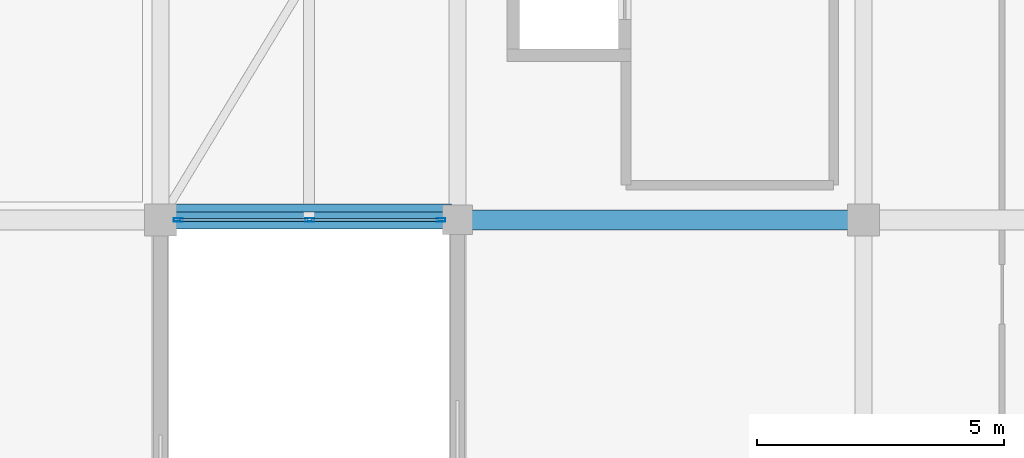
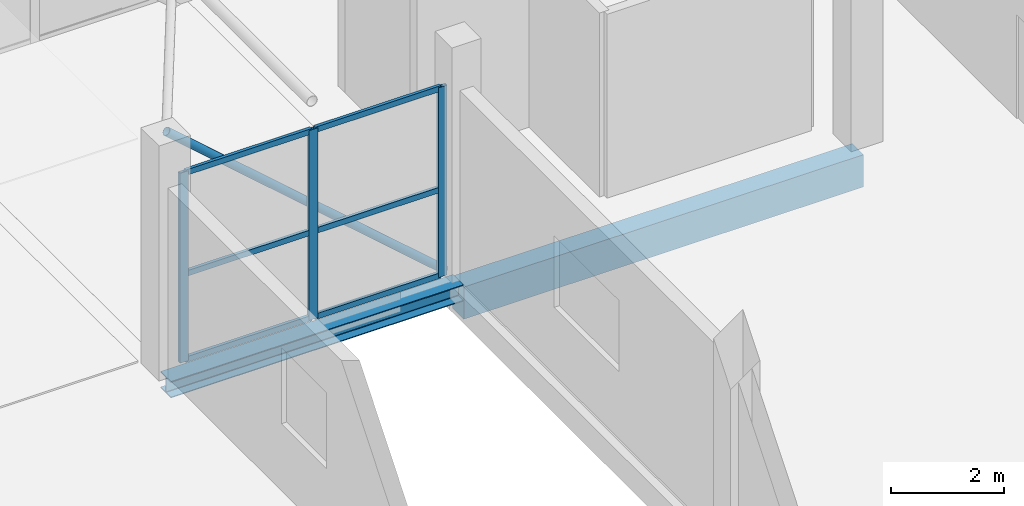
# One storey, part 14 of 66: 10 members, 2 beams, 1 element without a shape of its own.
"""IFC4 building model written with IfcOpenShell, lengths in metres."""

from ifc_helpers import new_model, si_unit, direction, frame, origin, origin_2d, place, context, subcontext, project, spatial, rectangle, hollow_rectangle, hollow_circle, i_section, extrude, material, layer, layer_set, material_profile, profile_set, type_object, element, aggregate, save


model = new_model("IFC4")

# Units and contexts
model_context = context("Model", 3, precision=1e-05, world=origin(), true_north=direction((0.0, 1.0)))
body_context = subcontext(model_context, "Body", "Model", "MODEL_VIEW")
ifc_project = project(units=[si_unit("LENGTHUNIT", "METRE"), si_unit("AREAUNIT", "SQUARE_METRE"), si_unit("VOLUMEUNIT", "CUBIC_METRE"), si_unit("PLANEANGLEUNIT", "RADIAN"), si_unit("MASSUNIT", "GRAM", prefix="KILO")], contexts=[model_context])

# Site, building, storey
site_placement = place(None, origin())
site = spatial("IfcSite", under=ifc_project, at=site_placement, CompositionType="ELEMENT")
building_placement = place(site_placement, origin())
building = spatial("IfcBuilding", under=site, at=building_placement, Name="Sillaruma Civic Art Gallery", CompositionType="ELEMENT")
storey_placement = place(building_placement, frame((0.0, 0.0, 57.1201171875)))
storey = spatial("IfcBuildingStorey", under=building, at=storey_placement, Name="L11", CompositionType="ELEMENT", Elevation=57.1201171875)

# Beams
ifc_material_1 = material(Name="Concrete H35 (35 MPa)", Category="concrete")
ifc_material_profile_1 = material_profile(ifc_material_1, rectangle(XDim=0.39990234375, YDim=0.699951171875, at=origin_2d()), Name="RCB400x700")
ifc_profile_set_1 = profile_set([ifc_material_profile_1], Name="Concrete H35 (35 MPa)")
beam_type_1 = type_object("IfcBeamType", Name="BM-BEAM-RCB400x700", PredefinedType="BEAM", material=ifc_profile_set_1)
beam_1_placement = place(storey_placement, frame((98.0, 39.60009765625, -0.60009765625), z_axis=(1.0, 0.0, 0.0), x_axis=(0.0, 1.0, 0.0)))
element("IfcBeam", 1, at=beam_1_placement, inside=storey, type_object=beam_type_1, Name="Beam BM-04 (L10:5:L-M)", PredefinedType="BEAM", context=body_context, shape_type="SweptSolid", body=[
    extrude(rectangle(XDim=0.39990234375, YDim=0.699951171875, at=origin_2d()), origin(), (0.0, 0.0, 1.0), 8.199951171875),
])
ifc_material_2 = material(Name="Structural Steel ASTM A992 Gr.50", Category="steel")
ifc_material_profile_2 = material_profile(ifc_material_2, i_section(OverallWidth=0.368896484375, OverallDepth=0.35595703125, WebThickness=0.01123046875, FlangeThickness=0.01806640625, FilletRadius=0.014892578125, at=origin_2d()), Name="W360x134")
ifc_profile_set_2 = profile_set([ifc_material_profile_2], Name="Structural Steel ASTM A992 Gr.50")
beam_type_2 = type_object("IfcBeamType", Name="BM-BRIDGE-W360x134", PredefinedType="SPANDREL", material=ifc_profile_set_2)
beam_2_placement = place(storey_placement, frame((92.0, 39.60009765625, -0.38818359375), z_axis=(1.0, 0.0, 0.0), x_axis=(0.0, 1.0, 0.0)))
element("IfcBeam", 2, at=beam_2_placement, inside=storey, type_object=beam_type_2, Name="Sky-Bridge Steel Edge Girder (BRG-S:L11:S)", PredefinedType="SPANDREL", context=body_context, shape_type="SweptSolid", body=[
    extrude(i_section(OverallWidth=0.368896484375, OverallDepth=0.35595703125, WebThickness=0.01123046875, FlangeThickness=0.01806640625, FilletRadius=0.014892578125, at=origin_2d()), origin(), (0.0, 0.0, 1.0), 6.0),
])

# Member
ifc_material_3 = material(Name="Structural Steel ASTM A500 Gr.C", Category="steel")
ifc_material_profile_3 = material_profile(ifc_material_3, hollow_circle(Radius=0.084228515625, WallThickness=0.007080078125, at=origin_2d()), Name="CHS168.3x7.1")
ifc_profile_set_3 = profile_set([ifc_material_profile_3], Name="Structural Steel ASTM A500 Gr.C")
member_type_1 = type_object("IfcMemberType", Name="MEM-BRIDGE-BRACE", PredefinedType="BRACE", material=ifc_profile_set_3)
member_1_placement = place(storey_placement, frame((97.85009765625, 39.840087890625, -0.080078125), z_axis=(-0.752424953383, 0.0, 0.658677986217), x_axis=(0.0, -1.0, 0.0)))
element("IfcMember", 3, at=member_1_placement, inside=storey, type_object=member_type_1, Name="Sky-Bridge Elevation Truss Web Brace (BRG-S:L11:S)", PredefinedType="BRACE", context=body_context, shape_type="SweptSolid", body=[
    extrude(hollow_circle(Radius=0.084228515625, WallThickness=0.007080078125, at=origin_2d()), origin(), (0.0, 0.0, 1.0), 7.57568359375),
])

# Curtain wall, members
ifc_material_4 = material(Name="Thermally Broken Extruded Aluminium 6063-T6", Category="aluminium")
ifc_layer = layer(ifc_material_4, 0.179931640625, Name="Thermally Broken Extruded Aluminium 6063-T6")
ifc_layer_set = layer_set([ifc_layer], Name="Thermally Broken Extruded Aluminium 6063-T6")
curtain_wall_type = type_object("IfcCurtainWallType", Name="CW-UNI-89", PredefinedType="NOTDEFINED", material=ifc_layer_set)
curtain_wall_placement = place(storey_placement, origin())
curtain_wall = element("IfcCurtainWall", 4, at=curtain_wall_placement, inside=storey, type_object=curtain_wall_type, Name="Unitised Curtain Wall CW-89 (CW-BRG-S-L11-S)", PredefinedType="NOTDEFINED")
ifc_material_profile_4 = material_profile(ifc_material_4, hollow_rectangle(XDim=0.070068359375, YDim=0.179931640625, WallThickness=0.00390625, at=origin_2d()), Name="CWM70x180")
ifc_profile_set_4 = profile_set([ifc_material_profile_4], Name="Thermally Broken Extruded Aluminium 6063-T6")
member_type_2 = type_object("IfcMemberType", Name="MEM-MUL-CWM70x180", PredefinedType="MULLION", material=ifc_profile_set_4)
member_2_placement = place(storey_placement, frame((92.360107421875, 39.60009765625, 0.0), z_axis=(0.0, 0.0, 1.0), x_axis=(0.0, 1.0, 0.0)))
member_2 = element("IfcMember", 5, at=member_2_placement, type_object=member_type_2, Name="CW-89 mullion 1", PredefinedType="MULLION", context=body_context, shape_type="SweptSolid", body=[
    extrude(hollow_rectangle(XDim=0.070068359375, YDim=0.179931640625, WallThickness=0.00390625, at=origin_2d()), origin(), (0.0, 0.0, 1.0), 4.119873046875),
])
member_3_placement = place(storey_placement, frame((95.012451171875, 39.60009765625, 0.0), z_axis=(0.0, 0.0, 1.0), x_axis=(0.0, 1.0, 0.0)))
member_3 = element("IfcMember", 6, at=member_3_placement, type_object=member_type_2, Name="CW-89 mullion 2", PredefinedType="MULLION", context=body_context, shape_type="SweptSolid", body=[
    extrude(hollow_rectangle(XDim=0.070068359375, YDim=0.179931640625, WallThickness=0.00390625, at=origin_2d()), origin(), (0.0, 0.0, 1.0), 4.119873046875),
])
member_4_placement = place(storey_placement, frame((97.6650390625, 39.60009765625, 0.0), z_axis=(0.0, 0.0, 1.0), x_axis=(0.0, 1.0, 0.0)))
member_4 = element("IfcMember", 7, at=member_4_placement, type_object=member_type_2, Name="CW-89 mullion 3", PredefinedType="MULLION", context=body_context, shape_type="SweptSolid", body=[
    extrude(hollow_rectangle(XDim=0.070068359375, YDim=0.179931640625, WallThickness=0.00390625, at=origin_2d()), origin(), (0.0, 0.0, 1.0), 4.119873046875),
])
ifc_material_profile_5 = material_profile(ifc_material_4, hollow_rectangle(XDim=0.06494140625, YDim=0.1201171875, WallThickness=0.00341796875, at=origin_2d()), Name="CWT65x120")
ifc_profile_set_5 = profile_set([ifc_material_profile_5], Name="Thermally Broken Extruded Aluminium 6063-T6")
member_type_3 = type_object("IfcMemberType", Name="MEM-TRN-CWT65x120", PredefinedType="USERDEFINED", material=ifc_profile_set_5)
member_5_placement = place(storey_placement, frame((92.39501953125, 39.60009765625, 0.032470703125), z_axis=(1.0, 0.0, 0.0), x_axis=(0.0, 1.0, 0.0)))
member_5 = element("IfcMember", 8, at=member_5_placement, type_object=member_type_3, Name="CW-89 transom 1.1", ObjectType="TRANSOM", PredefinedType="USERDEFINED", context=body_context, shape_type="SweptSolid", body=[
    extrude(hollow_rectangle(XDim=0.06494140625, YDim=0.1201171875, WallThickness=0.00341796875, at=origin_2d()), origin(), (0.0, 0.0, 1.0), 2.58251953125),
])
member_6_placement = place(storey_placement, frame((92.39501953125, 39.60009765625, 1.89501953125), z_axis=(1.0, 0.0, 0.0), x_axis=(0.0, 1.0, 0.0)))
member_6 = element("IfcMember", 9, at=member_6_placement, type_object=member_type_3, Name="CW-89 transom 1.2", ObjectType="TRANSOM", PredefinedType="USERDEFINED", context=body_context, shape_type="SweptSolid", body=[
    extrude(hollow_rectangle(XDim=0.06494140625, YDim=0.1201171875, WallThickness=0.00341796875, at=origin_2d()), origin(), (0.0, 0.0, 1.0), 2.58251953125),
])
member_7_placement = place(storey_placement, frame((92.39501953125, 39.60009765625, 4.08740234375), z_axis=(1.0, 0.0, 0.0), x_axis=(0.0, 1.0, 0.0)))
member_7 = element("IfcMember", 10, at=member_7_placement, type_object=member_type_3, Name="CW-89 transom 1.3", ObjectType="TRANSOM", PredefinedType="USERDEFINED", context=body_context, shape_type="SweptSolid", body=[
    extrude(hollow_rectangle(XDim=0.06494140625, YDim=0.1201171875, WallThickness=0.00341796875, at=origin_2d()), origin(), (0.0, 0.0, 1.0), 2.58251953125),
])
member_8_placement = place(storey_placement, frame((95.047607421875, 39.60009765625, 0.032470703125), z_axis=(1.0, 0.0, 0.0), x_axis=(0.0, 1.0, 0.0)))
member_8 = element("IfcMember", 11, at=member_8_placement, type_object=member_type_3, Name="CW-89 transom 2.1", ObjectType="TRANSOM", PredefinedType="USERDEFINED", context=body_context, shape_type="SweptSolid", body=[
    extrude(hollow_rectangle(XDim=0.06494140625, YDim=0.1201171875, WallThickness=0.00341796875, at=origin_2d()), origin(), (0.0, 0.0, 1.0), 2.582275390625),
])
member_9_placement = place(storey_placement, frame((95.047607421875, 39.60009765625, 1.89501953125), z_axis=(1.0, 0.0, 0.0), x_axis=(0.0, 1.0, 0.0)))
member_9 = element("IfcMember", 12, at=member_9_placement, type_object=member_type_3, Name="CW-89 transom 2.2", ObjectType="TRANSOM", PredefinedType="USERDEFINED", context=body_context, shape_type="SweptSolid", body=[
    extrude(hollow_rectangle(XDim=0.06494140625, YDim=0.1201171875, WallThickness=0.00341796875, at=origin_2d()), origin(), (0.0, 0.0, 1.0), 2.582275390625),
])
member_10_placement = place(storey_placement, frame((95.047607421875, 39.60009765625, 4.08740234375), z_axis=(1.0, 0.0, 0.0), x_axis=(0.0, 1.0, 0.0)))
member_10 = element("IfcMember", 13, at=member_10_placement, type_object=member_type_3, Name="CW-89 transom 2.3", ObjectType="TRANSOM", PredefinedType="USERDEFINED", context=body_context, shape_type="SweptSolid", body=[
    extrude(hollow_rectangle(XDim=0.06494140625, YDim=0.1201171875, WallThickness=0.00341796875, at=origin_2d()), origin(), (0.0, 0.0, 1.0), 2.582275390625),
])
aggregate(curtain_wall, [member_2, member_3, member_4, member_5, member_6, member_7, member_8, member_9, member_10])

save(model, "model.ifc")
